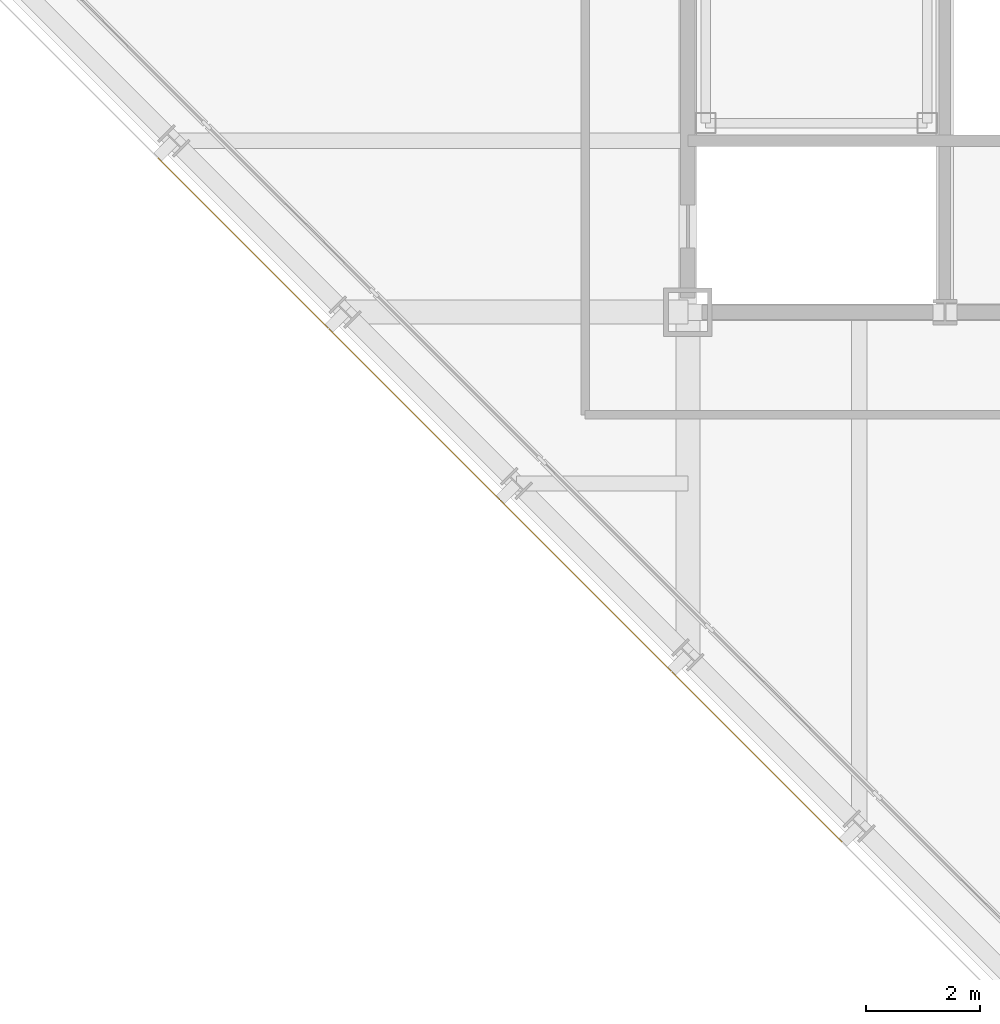
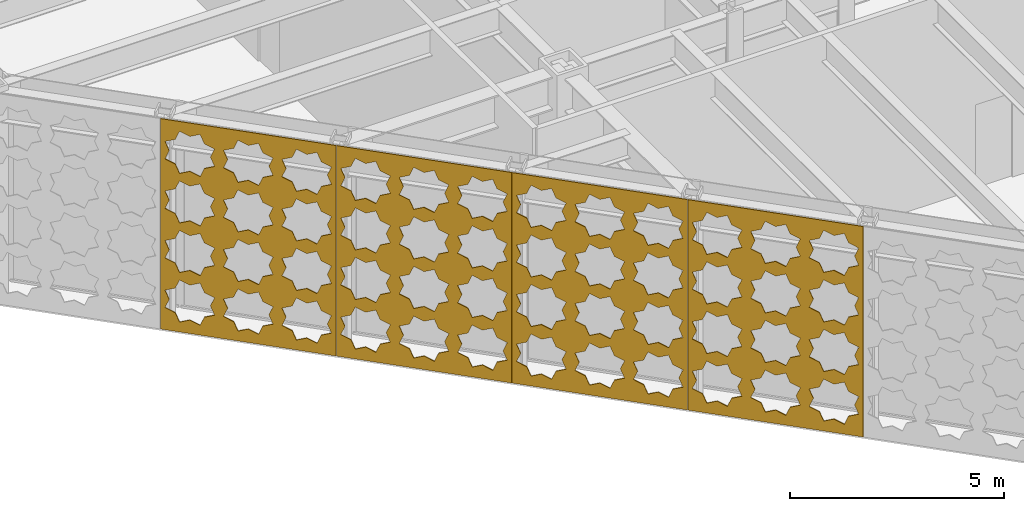
# One storey, part 20 of 28: 4 coverings.
"""IFC4 building model written with IfcOpenShell, lengths in metres."""

from ifc_helpers import new_model, si_unit, direction, frame, origin, place, context, subcontext, project, spatial, polyline, outline, extrude, material, layer, layer_set, type_object, element, save


model = new_model("IFC4")

# Units and contexts
model_context = context("Model", 3, precision=1e-05, world=origin(), true_north=direction((0.0, 1.0)))
body_context = subcontext(model_context, "Body", "Model", "MODEL_VIEW")
ifc_project = project(units=[si_unit("LENGTHUNIT", "METRE"), si_unit("AREAUNIT", "SQUARE_METRE"), si_unit("VOLUMEUNIT", "CUBIC_METRE"), si_unit("PLANEANGLEUNIT", "RADIAN"), si_unit("MASSUNIT", "GRAM", prefix="KILO")], contexts=[model_context])

# Site, building, storey
site_placement = place(None, origin())
site = spatial("IfcSite", under=ifc_project, at=site_placement, CompositionType="ELEMENT")
building_placement = place(site_placement, origin())
building = spatial("IfcBuilding", under=site, at=building_placement, Name="Chuquiago Exchange Tower", CompositionType="ELEMENT")
storey_placement = place(building_placement, frame((0.0, 0.0, 300.0)))
storey = spatial("IfcBuildingStorey", under=building, at=storey_placement, Name="L67", CompositionType="ELEMENT", Elevation=300.0)

# Coverings
ifc_material = material(Name="Anodised aluminium, pale", Category="aluminium")
ifc_layer = layer(ifc_material, 0.02001953125)
ifc_layer_set = layer_set([ifc_layer], Name="GC4 girih cladding panel 20")
covering_type = type_object("IfcCoveringType", Name="GC4 girih cladding panel 20", PredefinedType="CLADDING", material=ifc_layer_set)
covering_1_placement = place(storey_placement, frame((2.720703125, 14.713623046875, 0.0048828125), z_axis=(0.0, 0.0, 1.0), x_axis=(0.707106781187, -0.707106781187, 0.0)))
element("IfcCovering", 1, at=covering_1_placement, inside=storey, type_object=covering_type, Name="Girih cladding panel L67 SW 2", PredefinedType="CLADDING", context=body_context, shape_type="SweptSolid", body=[
    extrude(outline(polyline([(0.0, 0.0), (4.232666015625, 0.0), (4.232666015625, 5.990234375), (0.0, 5.990234375), (0.0, 0.0)]), holes=[polyline([(1.2021484375, 0.878662109375), (1.304931640625, 1.127197265625), (1.056640625, 1.22998046875), (0.953857421875, 1.478271484375), (0.70556640625, 1.37548828125), (0.45703125, 1.478271484375), (0.354248046875, 1.22998046875), (0.10595703125, 1.127197265625), (0.208740234375, 0.878662109375), (0.10595703125, 0.63037109375), (0.354248046875, 0.527587890625), (0.45703125, 0.279296875), (0.705322265625, 0.382080078125), (0.953857421875, 0.279296875), (1.056640625, 0.527587890625), (1.304931640625, 0.63037109375), (1.2021484375, 0.878662109375)]), polyline([(2.613037109375, 0.878662109375), (2.7158203125, 1.127197265625), (2.467529296875, 1.22998046875), (2.36474609375, 1.478271484375), (2.116455078125, 1.37548828125), (1.867919921875, 1.478271484375), (1.76513671875, 1.22998046875), (1.516845703125, 1.127197265625), (1.61962890625, 0.878662109375), (1.516845703125, 0.63037109375), (1.76513671875, 0.527587890625), (1.867919921875, 0.279296875), (2.116455078125, 0.382080078125), (2.36474609375, 0.279296875), (2.467529296875, 0.527587890625), (2.7158203125, 0.63037109375), (2.613037109375, 0.878662109375)]), polyline([(4.02392578125, 0.878662109375), (4.126708984375, 1.127197265625), (3.87841796875, 1.22998046875), (3.775634765625, 1.478271484375), (3.527099609375, 1.37548828125), (3.27880859375, 1.478271484375), (3.176025390625, 1.22998046875), (2.927734375, 1.127197265625), (3.030517578125, 0.878662109375), (2.927734375, 0.63037109375), (3.176025390625, 0.527587890625), (3.27880859375, 0.279296875), (3.527099609375, 0.382080078125), (3.775634765625, 0.279296875), (3.87841796875, 0.527587890625), (4.126708984375, 0.63037109375), (4.02392578125, 0.878662109375)]), polyline([(1.2021484375, 2.289794921875), (1.304931640625, 2.5380859375), (1.056640625, 2.640869140625), (0.953857421875, 2.88916015625), (0.70556640625, 2.786376953125), (0.45703125, 2.88916015625), (0.354248046875, 2.640869140625), (0.10595703125, 2.5380859375), (0.208740234375, 2.289794921875), (0.10595703125, 2.041259765625), (0.354248046875, 1.9384765625), (0.45703125, 1.690185546875), (0.705322265625, 1.79296875), (0.953857421875, 1.690185546875), (1.056640625, 1.9384765625), (1.304931640625, 2.041259765625), (1.2021484375, 2.289794921875)]), polyline([(2.613037109375, 2.289794921875), (2.7158203125, 2.5380859375), (2.467529296875, 2.640869140625), (2.36474609375, 2.88916015625), (2.116455078125, 2.786376953125), (1.867919921875, 2.88916015625), (1.76513671875, 2.640869140625), (1.516845703125, 2.5380859375), (1.61962890625, 2.289794921875), (1.516845703125, 2.041259765625), (1.76513671875, 1.9384765625), (1.867919921875, 1.690185546875), (2.116455078125, 1.79296875), (2.36474609375, 1.690185546875), (2.467529296875, 1.9384765625), (2.7158203125, 2.041259765625), (2.613037109375, 2.289794921875)]), polyline([(4.02392578125, 2.289794921875), (4.126708984375, 2.5380859375), (3.87841796875, 2.640869140625), (3.775634765625, 2.88916015625), (3.527099609375, 2.786376953125), (3.27880859375, 2.88916015625), (3.176025390625, 2.640869140625), (2.927734375, 2.5380859375), (3.030517578125, 2.289794921875), (2.927734375, 2.041259765625), (3.176025390625, 1.9384765625), (3.27880859375, 1.690185546875), (3.527099609375, 1.79296875), (3.775634765625, 1.690185546875), (3.87841796875, 1.9384765625), (4.126708984375, 2.041259765625), (4.02392578125, 2.289794921875)]), polyline([(1.2021484375, 3.700439453125), (1.304931640625, 3.948974609375), (1.056640625, 4.0517578125), (0.953857421875, 4.300048828125), (0.70556640625, 4.197265625), (0.45703125, 4.300048828125), (0.354248046875, 4.0517578125), (0.10595703125, 3.948974609375), (0.208740234375, 3.700439453125), (0.10595703125, 3.4521484375), (0.354248046875, 3.349365234375), (0.45703125, 3.10107421875), (0.705322265625, 3.203857421875), (0.953857421875, 3.10107421875), (1.056640625, 3.349365234375), (1.304931640625, 3.4521484375), (1.2021484375, 3.700439453125)]), polyline([(2.613037109375, 3.700439453125), (2.7158203125, 3.948974609375), (2.467529296875, 4.0517578125), (2.36474609375, 4.300048828125), (2.116455078125, 4.197265625), (1.867919921875, 4.300048828125), (1.76513671875, 4.0517578125), (1.516845703125, 3.948974609375), (1.61962890625, 3.700439453125), (1.516845703125, 3.4521484375), (1.76513671875, 3.349365234375), (1.867919921875, 3.10107421875), (2.116455078125, 3.203857421875), (2.36474609375, 3.10107421875), (2.467529296875, 3.349365234375), (2.7158203125, 3.4521484375), (2.613037109375, 3.700439453125)]), polyline([(4.02392578125, 3.700439453125), (4.126708984375, 3.948974609375), (3.87841796875, 4.0517578125), (3.775634765625, 4.300048828125), (3.527099609375, 4.197265625), (3.27880859375, 4.300048828125), (3.176025390625, 4.0517578125), (2.927734375, 3.948974609375), (3.030517578125, 3.700439453125), (2.927734375, 3.4521484375), (3.176025390625, 3.349365234375), (3.27880859375, 3.10107421875), (3.527099609375, 3.203857421875), (3.775634765625, 3.10107421875), (3.87841796875, 3.349365234375), (4.126708984375, 3.4521484375), (4.02392578125, 3.700439453125)]), polyline([(1.2021484375, 5.111572265625), (1.304931640625, 5.35986328125), (1.056640625, 5.462646484375), (0.953857421875, 5.7109375), (0.70556640625, 5.608154296875), (0.45703125, 5.7109375), (0.354248046875, 5.462646484375), (0.10595703125, 5.35986328125), (0.208740234375, 5.111572265625), (0.10595703125, 4.863037109375), (0.354248046875, 4.76025390625), (0.45703125, 4.511962890625), (0.705322265625, 4.61474609375), (0.953857421875, 4.511962890625), (1.056640625, 4.76025390625), (1.304931640625, 4.863037109375), (1.2021484375, 5.111572265625)]), polyline([(2.613037109375, 5.111572265625), (2.7158203125, 5.35986328125), (2.467529296875, 5.462646484375), (2.36474609375, 5.7109375), (2.116455078125, 5.608154296875), (1.867919921875, 5.7109375), (1.76513671875, 5.462646484375), (1.516845703125, 5.35986328125), (1.61962890625, 5.111572265625), (1.516845703125, 4.863037109375), (1.76513671875, 4.76025390625), (1.867919921875, 4.511962890625), (2.116455078125, 4.61474609375), (2.36474609375, 4.511962890625), (2.467529296875, 4.76025390625), (2.7158203125, 4.863037109375), (2.613037109375, 5.111572265625)]), polyline([(4.02392578125, 5.111572265625), (4.126708984375, 5.35986328125), (3.87841796875, 5.462646484375), (3.775634765625, 5.7109375), (3.527099609375, 5.608154296875), (3.27880859375, 5.7109375), (3.176025390625, 5.462646484375), (2.927734375, 5.35986328125), (3.030517578125, 5.111572265625), (2.927734375, 4.863037109375), (3.176025390625, 4.76025390625), (3.27880859375, 4.511962890625), (3.527099609375, 4.61474609375), (3.775634765625, 4.511962890625), (3.87841796875, 4.76025390625), (4.126708984375, 4.863037109375), (4.02392578125, 5.111572265625)])]), frame((0.0, 0.0, 0.0), z_axis=(0.0, -1.0, 0.0), x_axis=(1.0, 0.0, 0.0)), (0.0, 0.0, 1.0), 0.02001953125),
])
covering_2_placement = place(storey_placement, frame((5.720703125, 11.713623046875, 0.0048828125), z_axis=(0.0, 0.0, 1.0), x_axis=(0.707106781187, -0.707106781187, 0.0)))
element("IfcCovering", 2, at=covering_2_placement, inside=storey, type_object=covering_type, Name="Girih cladding panel L67 SW 3", PredefinedType="CLADDING", context=body_context, shape_type="SweptSolid", body=[
    extrude(outline(polyline([(0.0, 0.0), (4.232666015625, 0.0), (4.232666015625, 5.990234375), (0.0, 5.990234375), (0.0, 0.0)]), holes=[polyline([(1.2021484375, 0.878662109375), (1.304931640625, 1.127197265625), (1.056640625, 1.22998046875), (0.953857421875, 1.478271484375), (0.70556640625, 1.37548828125), (0.45703125, 1.478271484375), (0.354248046875, 1.22998046875), (0.10595703125, 1.127197265625), (0.208740234375, 0.878662109375), (0.10595703125, 0.63037109375), (0.354248046875, 0.527587890625), (0.45703125, 0.279296875), (0.705322265625, 0.382080078125), (0.953857421875, 0.279296875), (1.056640625, 0.527587890625), (1.304931640625, 0.63037109375), (1.2021484375, 0.878662109375)]), polyline([(2.613037109375, 0.878662109375), (2.7158203125, 1.127197265625), (2.467529296875, 1.22998046875), (2.36474609375, 1.478271484375), (2.116455078125, 1.37548828125), (1.867919921875, 1.478271484375), (1.76513671875, 1.22998046875), (1.516845703125, 1.127197265625), (1.61962890625, 0.878662109375), (1.516845703125, 0.63037109375), (1.76513671875, 0.527587890625), (1.867919921875, 0.279296875), (2.116455078125, 0.382080078125), (2.36474609375, 0.279296875), (2.467529296875, 0.527587890625), (2.7158203125, 0.63037109375), (2.613037109375, 0.878662109375)]), polyline([(4.02392578125, 0.878662109375), (4.126708984375, 1.127197265625), (3.87841796875, 1.22998046875), (3.775634765625, 1.478271484375), (3.527099609375, 1.37548828125), (3.27880859375, 1.478271484375), (3.176025390625, 1.22998046875), (2.927734375, 1.127197265625), (3.030517578125, 0.878662109375), (2.927734375, 0.63037109375), (3.176025390625, 0.527587890625), (3.27880859375, 0.279296875), (3.527099609375, 0.382080078125), (3.775634765625, 0.279296875), (3.87841796875, 0.527587890625), (4.126708984375, 0.63037109375), (4.02392578125, 0.878662109375)]), polyline([(1.2021484375, 2.289794921875), (1.304931640625, 2.5380859375), (1.056640625, 2.640869140625), (0.953857421875, 2.88916015625), (0.70556640625, 2.786376953125), (0.45703125, 2.88916015625), (0.354248046875, 2.640869140625), (0.10595703125, 2.5380859375), (0.208740234375, 2.289794921875), (0.10595703125, 2.041259765625), (0.354248046875, 1.9384765625), (0.45703125, 1.690185546875), (0.705322265625, 1.79296875), (0.953857421875, 1.690185546875), (1.056640625, 1.9384765625), (1.304931640625, 2.041259765625), (1.2021484375, 2.289794921875)]), polyline([(2.613037109375, 2.289794921875), (2.7158203125, 2.5380859375), (2.467529296875, 2.640869140625), (2.36474609375, 2.88916015625), (2.116455078125, 2.786376953125), (1.867919921875, 2.88916015625), (1.76513671875, 2.640869140625), (1.516845703125, 2.5380859375), (1.61962890625, 2.289794921875), (1.516845703125, 2.041259765625), (1.76513671875, 1.9384765625), (1.867919921875, 1.690185546875), (2.116455078125, 1.79296875), (2.36474609375, 1.690185546875), (2.467529296875, 1.9384765625), (2.7158203125, 2.041259765625), (2.613037109375, 2.289794921875)]), polyline([(4.02392578125, 2.289794921875), (4.126708984375, 2.5380859375), (3.87841796875, 2.640869140625), (3.775634765625, 2.88916015625), (3.527099609375, 2.786376953125), (3.27880859375, 2.88916015625), (3.176025390625, 2.640869140625), (2.927734375, 2.5380859375), (3.030517578125, 2.289794921875), (2.927734375, 2.041259765625), (3.176025390625, 1.9384765625), (3.27880859375, 1.690185546875), (3.527099609375, 1.79296875), (3.775634765625, 1.690185546875), (3.87841796875, 1.9384765625), (4.126708984375, 2.041259765625), (4.02392578125, 2.289794921875)]), polyline([(1.2021484375, 3.700439453125), (1.304931640625, 3.948974609375), (1.056640625, 4.0517578125), (0.953857421875, 4.300048828125), (0.70556640625, 4.197265625), (0.45703125, 4.300048828125), (0.354248046875, 4.0517578125), (0.10595703125, 3.948974609375), (0.208740234375, 3.700439453125), (0.10595703125, 3.4521484375), (0.354248046875, 3.349365234375), (0.45703125, 3.10107421875), (0.705322265625, 3.203857421875), (0.953857421875, 3.10107421875), (1.056640625, 3.349365234375), (1.304931640625, 3.4521484375), (1.2021484375, 3.700439453125)]), polyline([(2.613037109375, 3.700439453125), (2.7158203125, 3.948974609375), (2.467529296875, 4.0517578125), (2.36474609375, 4.300048828125), (2.116455078125, 4.197265625), (1.867919921875, 4.300048828125), (1.76513671875, 4.0517578125), (1.516845703125, 3.948974609375), (1.61962890625, 3.700439453125), (1.516845703125, 3.4521484375), (1.76513671875, 3.349365234375), (1.867919921875, 3.10107421875), (2.116455078125, 3.203857421875), (2.36474609375, 3.10107421875), (2.467529296875, 3.349365234375), (2.7158203125, 3.4521484375), (2.613037109375, 3.700439453125)]), polyline([(4.02392578125, 3.700439453125), (4.126708984375, 3.948974609375), (3.87841796875, 4.0517578125), (3.775634765625, 4.300048828125), (3.527099609375, 4.197265625), (3.27880859375, 4.300048828125), (3.176025390625, 4.0517578125), (2.927734375, 3.948974609375), (3.030517578125, 3.700439453125), (2.927734375, 3.4521484375), (3.176025390625, 3.349365234375), (3.27880859375, 3.10107421875), (3.527099609375, 3.203857421875), (3.775634765625, 3.10107421875), (3.87841796875, 3.349365234375), (4.126708984375, 3.4521484375), (4.02392578125, 3.700439453125)]), polyline([(1.2021484375, 5.111572265625), (1.304931640625, 5.35986328125), (1.056640625, 5.462646484375), (0.953857421875, 5.7109375), (0.70556640625, 5.608154296875), (0.45703125, 5.7109375), (0.354248046875, 5.462646484375), (0.10595703125, 5.35986328125), (0.208740234375, 5.111572265625), (0.10595703125, 4.863037109375), (0.354248046875, 4.76025390625), (0.45703125, 4.511962890625), (0.705322265625, 4.61474609375), (0.953857421875, 4.511962890625), (1.056640625, 4.76025390625), (1.304931640625, 4.863037109375), (1.2021484375, 5.111572265625)]), polyline([(2.613037109375, 5.111572265625), (2.7158203125, 5.35986328125), (2.467529296875, 5.462646484375), (2.36474609375, 5.7109375), (2.116455078125, 5.608154296875), (1.867919921875, 5.7109375), (1.76513671875, 5.462646484375), (1.516845703125, 5.35986328125), (1.61962890625, 5.111572265625), (1.516845703125, 4.863037109375), (1.76513671875, 4.76025390625), (1.867919921875, 4.511962890625), (2.116455078125, 4.61474609375), (2.36474609375, 4.511962890625), (2.467529296875, 4.76025390625), (2.7158203125, 4.863037109375), (2.613037109375, 5.111572265625)]), polyline([(4.02392578125, 5.111572265625), (4.126708984375, 5.35986328125), (3.87841796875, 5.462646484375), (3.775634765625, 5.7109375), (3.527099609375, 5.608154296875), (3.27880859375, 5.7109375), (3.176025390625, 5.462646484375), (2.927734375, 5.35986328125), (3.030517578125, 5.111572265625), (2.927734375, 4.863037109375), (3.176025390625, 4.76025390625), (3.27880859375, 4.511962890625), (3.527099609375, 4.61474609375), (3.775634765625, 4.511962890625), (3.87841796875, 4.76025390625), (4.126708984375, 4.863037109375), (4.02392578125, 5.111572265625)])]), frame((0.0, 0.0, 0.0), z_axis=(0.0, -1.0, 0.0), x_axis=(1.0, 0.0, 0.0)), (0.0, 0.0, 1.0), 0.02001953125),
])
covering_3_placement = place(storey_placement, frame((8.720703125, 8.713623046875, 0.0048828125), z_axis=(0.0, 0.0, 1.0), x_axis=(0.707106781187, -0.707106781187, 0.0)))
element("IfcCovering", 3, at=covering_3_placement, inside=storey, type_object=covering_type, Name="Girih cladding panel L67 SW 4", PredefinedType="CLADDING", context=body_context, shape_type="SweptSolid", body=[
    extrude(outline(polyline([(0.0, 0.0), (4.232666015625, 0.0), (4.232666015625, 5.990234375), (0.0, 5.990234375), (0.0, 0.0)]), holes=[polyline([(1.2021484375, 0.878662109375), (1.304931640625, 1.127197265625), (1.056640625, 1.22998046875), (0.953857421875, 1.478271484375), (0.70556640625, 1.37548828125), (0.45703125, 1.478271484375), (0.354248046875, 1.22998046875), (0.10595703125, 1.127197265625), (0.208740234375, 0.878662109375), (0.10595703125, 0.63037109375), (0.354248046875, 0.527587890625), (0.45703125, 0.279296875), (0.705322265625, 0.382080078125), (0.953857421875, 0.279296875), (1.056640625, 0.527587890625), (1.304931640625, 0.63037109375), (1.2021484375, 0.878662109375)]), polyline([(2.613037109375, 0.878662109375), (2.7158203125, 1.127197265625), (2.467529296875, 1.22998046875), (2.36474609375, 1.478271484375), (2.116455078125, 1.37548828125), (1.867919921875, 1.478271484375), (1.76513671875, 1.22998046875), (1.516845703125, 1.127197265625), (1.61962890625, 0.878662109375), (1.516845703125, 0.63037109375), (1.76513671875, 0.527587890625), (1.867919921875, 0.279296875), (2.116455078125, 0.382080078125), (2.36474609375, 0.279296875), (2.467529296875, 0.527587890625), (2.7158203125, 0.63037109375), (2.613037109375, 0.878662109375)]), polyline([(4.02392578125, 0.878662109375), (4.126708984375, 1.127197265625), (3.87841796875, 1.22998046875), (3.775634765625, 1.478271484375), (3.527099609375, 1.37548828125), (3.27880859375, 1.478271484375), (3.176025390625, 1.22998046875), (2.927734375, 1.127197265625), (3.030517578125, 0.878662109375), (2.927734375, 0.63037109375), (3.176025390625, 0.527587890625), (3.27880859375, 0.279296875), (3.527099609375, 0.382080078125), (3.775634765625, 0.279296875), (3.87841796875, 0.527587890625), (4.126708984375, 0.63037109375), (4.02392578125, 0.878662109375)]), polyline([(1.2021484375, 2.289794921875), (1.304931640625, 2.5380859375), (1.056640625, 2.640869140625), (0.953857421875, 2.88916015625), (0.70556640625, 2.786376953125), (0.45703125, 2.88916015625), (0.354248046875, 2.640869140625), (0.10595703125, 2.5380859375), (0.208740234375, 2.289794921875), (0.10595703125, 2.041259765625), (0.354248046875, 1.9384765625), (0.45703125, 1.690185546875), (0.705322265625, 1.79296875), (0.953857421875, 1.690185546875), (1.056640625, 1.9384765625), (1.304931640625, 2.041259765625), (1.2021484375, 2.289794921875)]), polyline([(2.613037109375, 2.289794921875), (2.7158203125, 2.5380859375), (2.467529296875, 2.640869140625), (2.36474609375, 2.88916015625), (2.116455078125, 2.786376953125), (1.867919921875, 2.88916015625), (1.76513671875, 2.640869140625), (1.516845703125, 2.5380859375), (1.61962890625, 2.289794921875), (1.516845703125, 2.041259765625), (1.76513671875, 1.9384765625), (1.867919921875, 1.690185546875), (2.116455078125, 1.79296875), (2.36474609375, 1.690185546875), (2.467529296875, 1.9384765625), (2.7158203125, 2.041259765625), (2.613037109375, 2.289794921875)]), polyline([(4.02392578125, 2.289794921875), (4.126708984375, 2.5380859375), (3.87841796875, 2.640869140625), (3.775634765625, 2.88916015625), (3.527099609375, 2.786376953125), (3.27880859375, 2.88916015625), (3.176025390625, 2.640869140625), (2.927734375, 2.5380859375), (3.030517578125, 2.289794921875), (2.927734375, 2.041259765625), (3.176025390625, 1.9384765625), (3.27880859375, 1.690185546875), (3.527099609375, 1.79296875), (3.775634765625, 1.690185546875), (3.87841796875, 1.9384765625), (4.126708984375, 2.041259765625), (4.02392578125, 2.289794921875)]), polyline([(1.2021484375, 3.700439453125), (1.304931640625, 3.948974609375), (1.056640625, 4.0517578125), (0.953857421875, 4.300048828125), (0.70556640625, 4.197265625), (0.45703125, 4.300048828125), (0.354248046875, 4.0517578125), (0.10595703125, 3.948974609375), (0.208740234375, 3.700439453125), (0.10595703125, 3.4521484375), (0.354248046875, 3.349365234375), (0.45703125, 3.10107421875), (0.705322265625, 3.203857421875), (0.953857421875, 3.10107421875), (1.056640625, 3.349365234375), (1.304931640625, 3.4521484375), (1.2021484375, 3.700439453125)]), polyline([(2.613037109375, 3.700439453125), (2.7158203125, 3.948974609375), (2.467529296875, 4.0517578125), (2.36474609375, 4.300048828125), (2.116455078125, 4.197265625), (1.867919921875, 4.300048828125), (1.76513671875, 4.0517578125), (1.516845703125, 3.948974609375), (1.61962890625, 3.700439453125), (1.516845703125, 3.4521484375), (1.76513671875, 3.349365234375), (1.867919921875, 3.10107421875), (2.116455078125, 3.203857421875), (2.36474609375, 3.10107421875), (2.467529296875, 3.349365234375), (2.7158203125, 3.4521484375), (2.613037109375, 3.700439453125)]), polyline([(4.02392578125, 3.700439453125), (4.126708984375, 3.948974609375), (3.87841796875, 4.0517578125), (3.775634765625, 4.300048828125), (3.527099609375, 4.197265625), (3.27880859375, 4.300048828125), (3.176025390625, 4.0517578125), (2.927734375, 3.948974609375), (3.030517578125, 3.700439453125), (2.927734375, 3.4521484375), (3.176025390625, 3.349365234375), (3.27880859375, 3.10107421875), (3.527099609375, 3.203857421875), (3.775634765625, 3.10107421875), (3.87841796875, 3.349365234375), (4.126708984375, 3.4521484375), (4.02392578125, 3.700439453125)]), polyline([(1.2021484375, 5.111572265625), (1.304931640625, 5.35986328125), (1.056640625, 5.462646484375), (0.953857421875, 5.7109375), (0.70556640625, 5.608154296875), (0.45703125, 5.7109375), (0.354248046875, 5.462646484375), (0.10595703125, 5.35986328125), (0.208740234375, 5.111572265625), (0.10595703125, 4.863037109375), (0.354248046875, 4.76025390625), (0.45703125, 4.511962890625), (0.705322265625, 4.61474609375), (0.953857421875, 4.511962890625), (1.056640625, 4.76025390625), (1.304931640625, 4.863037109375), (1.2021484375, 5.111572265625)]), polyline([(2.613037109375, 5.111572265625), (2.7158203125, 5.35986328125), (2.467529296875, 5.462646484375), (2.36474609375, 5.7109375), (2.116455078125, 5.608154296875), (1.867919921875, 5.7109375), (1.76513671875, 5.462646484375), (1.516845703125, 5.35986328125), (1.61962890625, 5.111572265625), (1.516845703125, 4.863037109375), (1.76513671875, 4.76025390625), (1.867919921875, 4.511962890625), (2.116455078125, 4.61474609375), (2.36474609375, 4.511962890625), (2.467529296875, 4.76025390625), (2.7158203125, 4.863037109375), (2.613037109375, 5.111572265625)]), polyline([(4.02392578125, 5.111572265625), (4.126708984375, 5.35986328125), (3.87841796875, 5.462646484375), (3.775634765625, 5.7109375), (3.527099609375, 5.608154296875), (3.27880859375, 5.7109375), (3.176025390625, 5.462646484375), (2.927734375, 5.35986328125), (3.030517578125, 5.111572265625), (2.927734375, 4.863037109375), (3.176025390625, 4.76025390625), (3.27880859375, 4.511962890625), (3.527099609375, 4.61474609375), (3.775634765625, 4.511962890625), (3.87841796875, 4.76025390625), (4.126708984375, 4.863037109375), (4.02392578125, 5.111572265625)])]), frame((0.0, 0.0, 0.0), z_axis=(0.0, -1.0, 0.0), x_axis=(1.0, 0.0, 0.0)), (0.0, 0.0, 1.0), 0.02001953125),
])
covering_4_placement = place(storey_placement, frame((11.720703125, 5.713623046875, 0.0048828125), z_axis=(0.0, 0.0, 1.0), x_axis=(0.707106781187, -0.707106781187, 0.0)))
element("IfcCovering", 4, at=covering_4_placement, inside=storey, type_object=covering_type, Name="Girih cladding panel L67 SW 5", PredefinedType="CLADDING", context=body_context, shape_type="SweptSolid", body=[
    extrude(outline(polyline([(0.0, 0.0), (4.232666015625, 0.0), (4.232666015625, 5.990234375), (0.0, 5.990234375), (0.0, 0.0)]), holes=[polyline([(1.2021484375, 0.878662109375), (1.304931640625, 1.127197265625), (1.056640625, 1.22998046875), (0.953857421875, 1.478271484375), (0.70556640625, 1.37548828125), (0.45703125, 1.478271484375), (0.354248046875, 1.22998046875), (0.10595703125, 1.127197265625), (0.208740234375, 0.878662109375), (0.10595703125, 0.63037109375), (0.354248046875, 0.527587890625), (0.45703125, 0.279296875), (0.705322265625, 0.382080078125), (0.953857421875, 0.279296875), (1.056640625, 0.527587890625), (1.304931640625, 0.63037109375), (1.2021484375, 0.878662109375)]), polyline([(2.613037109375, 0.878662109375), (2.7158203125, 1.127197265625), (2.467529296875, 1.22998046875), (2.36474609375, 1.478271484375), (2.116455078125, 1.37548828125), (1.867919921875, 1.478271484375), (1.76513671875, 1.22998046875), (1.516845703125, 1.127197265625), (1.61962890625, 0.878662109375), (1.516845703125, 0.63037109375), (1.76513671875, 0.527587890625), (1.867919921875, 0.279296875), (2.116455078125, 0.382080078125), (2.36474609375, 0.279296875), (2.467529296875, 0.527587890625), (2.7158203125, 0.63037109375), (2.613037109375, 0.878662109375)]), polyline([(4.02392578125, 0.878662109375), (4.126708984375, 1.127197265625), (3.87841796875, 1.22998046875), (3.775634765625, 1.478271484375), (3.527099609375, 1.37548828125), (3.27880859375, 1.478271484375), (3.176025390625, 1.22998046875), (2.927734375, 1.127197265625), (3.030517578125, 0.878662109375), (2.927734375, 0.63037109375), (3.176025390625, 0.527587890625), (3.27880859375, 0.279296875), (3.527099609375, 0.382080078125), (3.775634765625, 0.279296875), (3.87841796875, 0.527587890625), (4.126708984375, 0.63037109375), (4.02392578125, 0.878662109375)]), polyline([(1.2021484375, 2.289794921875), (1.304931640625, 2.5380859375), (1.056640625, 2.640869140625), (0.953857421875, 2.88916015625), (0.70556640625, 2.786376953125), (0.45703125, 2.88916015625), (0.354248046875, 2.640869140625), (0.10595703125, 2.5380859375), (0.208740234375, 2.289794921875), (0.10595703125, 2.041259765625), (0.354248046875, 1.9384765625), (0.45703125, 1.690185546875), (0.705322265625, 1.79296875), (0.953857421875, 1.690185546875), (1.056640625, 1.9384765625), (1.304931640625, 2.041259765625), (1.2021484375, 2.289794921875)]), polyline([(2.613037109375, 2.289794921875), (2.7158203125, 2.5380859375), (2.467529296875, 2.640869140625), (2.36474609375, 2.88916015625), (2.116455078125, 2.786376953125), (1.867919921875, 2.88916015625), (1.76513671875, 2.640869140625), (1.516845703125, 2.5380859375), (1.61962890625, 2.289794921875), (1.516845703125, 2.041259765625), (1.76513671875, 1.9384765625), (1.867919921875, 1.690185546875), (2.116455078125, 1.79296875), (2.36474609375, 1.690185546875), (2.467529296875, 1.9384765625), (2.7158203125, 2.041259765625), (2.613037109375, 2.289794921875)]), polyline([(4.02392578125, 2.289794921875), (4.126708984375, 2.5380859375), (3.87841796875, 2.640869140625), (3.775634765625, 2.88916015625), (3.527099609375, 2.786376953125), (3.27880859375, 2.88916015625), (3.176025390625, 2.640869140625), (2.927734375, 2.5380859375), (3.030517578125, 2.289794921875), (2.927734375, 2.041259765625), (3.176025390625, 1.9384765625), (3.27880859375, 1.690185546875), (3.527099609375, 1.79296875), (3.775634765625, 1.690185546875), (3.87841796875, 1.9384765625), (4.126708984375, 2.041259765625), (4.02392578125, 2.289794921875)]), polyline([(1.2021484375, 3.700439453125), (1.304931640625, 3.948974609375), (1.056640625, 4.0517578125), (0.953857421875, 4.300048828125), (0.70556640625, 4.197265625), (0.45703125, 4.300048828125), (0.354248046875, 4.0517578125), (0.10595703125, 3.948974609375), (0.208740234375, 3.700439453125), (0.10595703125, 3.4521484375), (0.354248046875, 3.349365234375), (0.45703125, 3.10107421875), (0.705322265625, 3.203857421875), (0.953857421875, 3.10107421875), (1.056640625, 3.349365234375), (1.304931640625, 3.4521484375), (1.2021484375, 3.700439453125)]), polyline([(2.613037109375, 3.700439453125), (2.7158203125, 3.948974609375), (2.467529296875, 4.0517578125), (2.36474609375, 4.300048828125), (2.116455078125, 4.197265625), (1.867919921875, 4.300048828125), (1.76513671875, 4.0517578125), (1.516845703125, 3.948974609375), (1.61962890625, 3.700439453125), (1.516845703125, 3.4521484375), (1.76513671875, 3.349365234375), (1.867919921875, 3.10107421875), (2.116455078125, 3.203857421875), (2.36474609375, 3.10107421875), (2.467529296875, 3.349365234375), (2.7158203125, 3.4521484375), (2.613037109375, 3.700439453125)]), polyline([(4.02392578125, 3.700439453125), (4.126708984375, 3.948974609375), (3.87841796875, 4.0517578125), (3.775634765625, 4.300048828125), (3.527099609375, 4.197265625), (3.27880859375, 4.300048828125), (3.176025390625, 4.0517578125), (2.927734375, 3.948974609375), (3.030517578125, 3.700439453125), (2.927734375, 3.4521484375), (3.176025390625, 3.349365234375), (3.27880859375, 3.10107421875), (3.527099609375, 3.203857421875), (3.775634765625, 3.10107421875), (3.87841796875, 3.349365234375), (4.126708984375, 3.4521484375), (4.02392578125, 3.700439453125)]), polyline([(1.2021484375, 5.111572265625), (1.304931640625, 5.35986328125), (1.056640625, 5.462646484375), (0.953857421875, 5.7109375), (0.70556640625, 5.608154296875), (0.45703125, 5.7109375), (0.354248046875, 5.462646484375), (0.10595703125, 5.35986328125), (0.208740234375, 5.111572265625), (0.10595703125, 4.863037109375), (0.354248046875, 4.76025390625), (0.45703125, 4.511962890625), (0.705322265625, 4.61474609375), (0.953857421875, 4.511962890625), (1.056640625, 4.76025390625), (1.304931640625, 4.863037109375), (1.2021484375, 5.111572265625)]), polyline([(2.613037109375, 5.111572265625), (2.7158203125, 5.35986328125), (2.467529296875, 5.462646484375), (2.36474609375, 5.7109375), (2.116455078125, 5.608154296875), (1.867919921875, 5.7109375), (1.76513671875, 5.462646484375), (1.516845703125, 5.35986328125), (1.61962890625, 5.111572265625), (1.516845703125, 4.863037109375), (1.76513671875, 4.76025390625), (1.867919921875, 4.511962890625), (2.116455078125, 4.61474609375), (2.36474609375, 4.511962890625), (2.467529296875, 4.76025390625), (2.7158203125, 4.863037109375), (2.613037109375, 5.111572265625)]), polyline([(4.02392578125, 5.111572265625), (4.126708984375, 5.35986328125), (3.87841796875, 5.462646484375), (3.775634765625, 5.7109375), (3.527099609375, 5.608154296875), (3.27880859375, 5.7109375), (3.176025390625, 5.462646484375), (2.927734375, 5.35986328125), (3.030517578125, 5.111572265625), (2.927734375, 4.863037109375), (3.176025390625, 4.76025390625), (3.27880859375, 4.511962890625), (3.527099609375, 4.61474609375), (3.775634765625, 4.511962890625), (3.87841796875, 4.76025390625), (4.126708984375, 4.863037109375), (4.02392578125, 5.111572265625)])]), frame((0.0, 0.0, 0.0), z_axis=(0.0, -1.0, 0.0), x_axis=(1.0, 0.0, 0.0)), (0.0, 0.0, 1.0), 0.02001953125),
])

save(model, "model.ifc")
